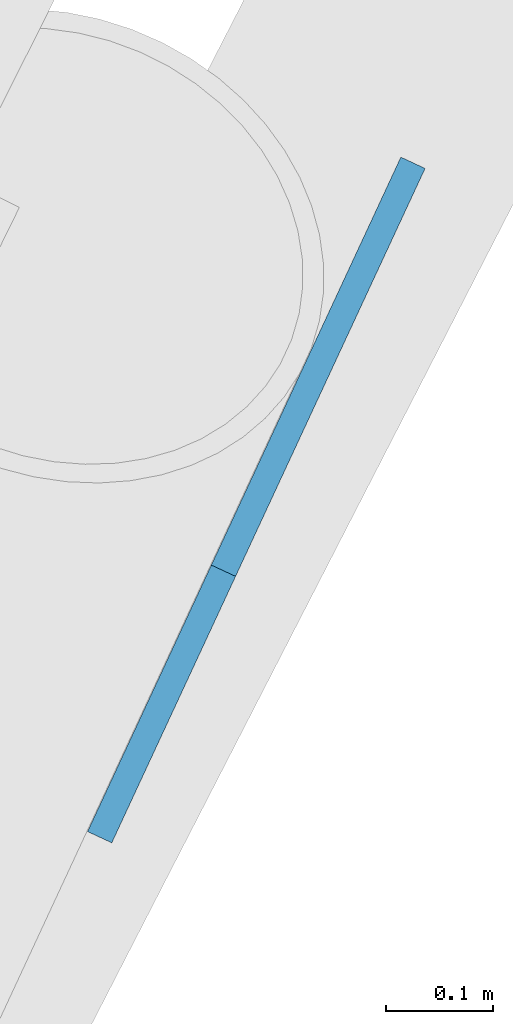
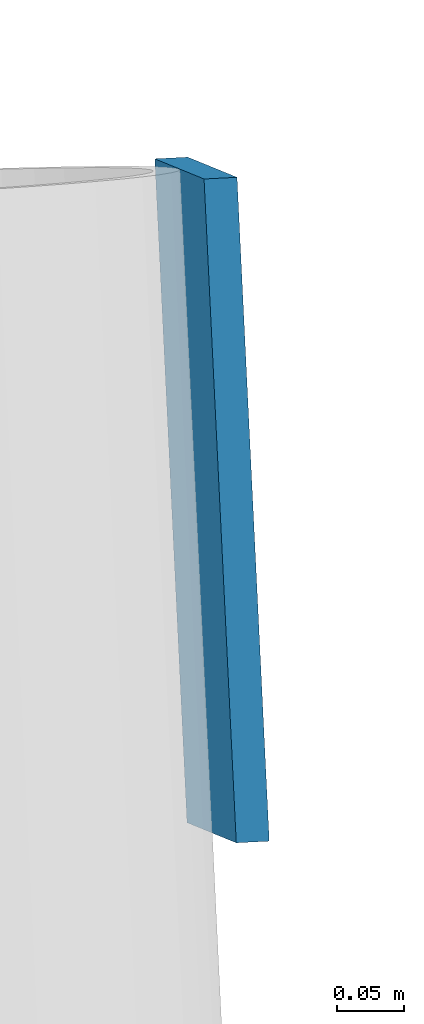
# One storey, part 11 of 21: 1 discrete accessory.
"""IFC4 building model written with IfcOpenShell, lengths in metres."""

import ifcopenshell
import ifcopenshell.guid

model = None  # the IFC model being written
_history = None  # IfcOwnerHistory: only IFC2X3 demands one
_inside = {}  # id of a spatial element -> (the spatial element, [elements in it])
_under = {}  # id of a project, library or spatial element -> (it, [spatial elements below it])
_declared = {}  # id of a project -> (the project, [libraries it declares])
_typed = {}  # id of a type object -> (the type object, [elements of that type])
_made_of = {}  # id of a material, layer set ... -> (it, [elements and type objects made of it])


def new_model(schema):
    """Start an empty IFC model of exactly this schema.

    Asked for "IFC4X3", IfcOpenShell would pick the latest addendum, in which some entities
    have other attributes; the version numbers below select the first issue.
    IFC2X3 requires an IfcOwnerHistory on every rooted entity: one is made here for all.
    """
    global model, _history
    if schema == "IFC4X3":
        model = ifcopenshell.file(schema_version=(4, 3, 0, 0))
    else:
        model = ifcopenshell.file(schema=schema)
    _inside.clear()
    _under.clear()
    _declared.clear()
    _typed.clear()
    _made_of.clear()
    _history = None
    if model.schema == "IFC2X3":
        org = make("IfcOrganization", Name="unknown")
        user = make(
            "IfcPersonAndOrganization",
            ThePerson=make("IfcPerson", FamilyName="unknown"),
            TheOrganization=org,
        )
        app = make(
            "IfcApplication",
            ApplicationDeveloper=org,
            Version="unknown",
            ApplicationFullName="unknown",
            ApplicationIdentifier="unknown",
        )
        _history = make(
            "IfcOwnerHistory",
            OwningUser=user,
            OwningApplication=app,
            ChangeAction="ADDED",
            CreationDate=0,
        )
    return model


def make(cls, **values):
    """One entity of the class cls with the attributes given. An attribute that is None is left unset."""
    return model.create_entity(
        cls, **{name: value for name, value in values.items() if value is not None}
    )


def rooted(cls, **values):
    """An entity with a GlobalId (a new one), such as an element, a storey or a relation."""
    return make(cls, GlobalId=ifcopenshell.guid.new(), OwnerHistory=_history, **values)


def si_unit(unit_type, name, prefix=None):
    """IfcSIUnit, for example si_unit("LENGTHUNIT", "METRE", prefix="MILLI")."""
    return make("IfcSIUnit", UnitType=unit_type, Prefix=prefix, Name=name)


def assignment(units):
    """IfcUnitAssignment: the units of a project."""
    return None if units is None else make("IfcUnitAssignment", Units=units)


def point(xyz):
    """IfcCartesianPoint."""
    return None if xyz is None else make("IfcCartesianPoint", Coordinates=xyz)


def direction(xyz):
    """IfcDirection."""
    return None if xyz is None else make("IfcDirection", DirectionRatios=xyz)


def frame(location, z_axis=None, x_axis=None):
    """IfcAxis2Placement3D, a coordinate frame: its origin and axes. An axis left out is left unset."""
    return make(
        "IfcAxis2Placement3D",
        Location=point(location),
        Axis=direction(z_axis),
        RefDirection=direction(x_axis),
    )


def frame_2d(location, x_axis=None):
    """IfcAxis2Placement2D, a coordinate frame in the plane: its origin and x axis."""
    return make(
        "IfcAxis2Placement2D", Location=point(location), RefDirection=direction(x_axis)
    )


def origin():
    """The frame at (0, 0, 0) with its axes left unset."""
    return frame((0.0, 0.0, 0.0))


def origin_2d():
    """The frame at (0, 0) in the plane with its x axis left unset."""
    return frame_2d((0.0, 0.0))


def place(relative_to, where):
    """IfcLocalPlacement: puts the frame where relative to a parent placement (None: the world)."""
    return make(
        "IfcLocalPlacement", PlacementRelTo=relative_to, RelativePlacement=where
    )


def context(
    kind, dimensions, precision=None, world=None, true_north=None, identifier=None
):
    """IfcGeometricRepresentationContext, for example the 3D "Model" context."""
    return make(
        "IfcGeometricRepresentationContext",
        ContextIdentifier=identifier,
        ContextType=kind,
        CoordinateSpaceDimension=dimensions,
        Precision=precision,
        WorldCoordinateSystem=world,
        TrueNorth=true_north,
    )


def subcontext(parent, identifier, kind, view, scale=None):
    """IfcGeometricRepresentationSubContext, for example "Body" below "Model"."""
    return make(
        "IfcGeometricRepresentationSubContext",
        ContextIdentifier=identifier,
        ContextType=kind,
        ParentContext=parent,
        TargetScale=scale,
        TargetView=view,
    )


def project(units=None, contexts=None):
    """IfcProject with its units and contexts."""
    return rooted(
        "IfcProject",
        Name="project",
        RepresentationContexts=contexts,
        UnitsInContext=assignment(units),
    )


def spatial(cls, under=None, at=None, **own):
    """A site, building, storey or space (cls), placed at a placement, below another one or the project."""
    s = rooted(cls, ObjectPlacement=at, **own)
    if under is not None:
        _under.setdefault(under.id(), (under, []))[1].append(s)
    return s


def profile(cls, at=None, kind="AREA", **sizes):
    """A parametric profile (cls). Its sizes go by their IFC names, for example OverallWidth=200.0."""
    return make(cls, ProfileType=kind, Position=at, **sizes)


def rectangle(**sizes):
    """IfcRectangleProfileDef."""
    return profile("IfcRectangleProfileDef", **sizes)


def extrude(swept, where, along, depth):
    """IfcExtrudedAreaSolid: the profile swept, set in the frame where, extruded along a direction by depth."""
    return make(
        "IfcExtrudedAreaSolid",
        SweptArea=swept,
        Position=where,
        ExtrudedDirection=direction(along),
        Depth=depth,
    )


def shape(context_of_items, identifier, shape_type, items):
    """IfcShapeRepresentation: the items that make up one representation, for example the "Body"."""
    return make(
        "IfcShapeRepresentation",
        ContextOfItems=context_of_items,
        RepresentationIdentifier=identifier,
        RepresentationType=shape_type,
        Items=items,
    )


def material(Name=None, Category=None):
    """IfcMaterial."""
    return make("IfcMaterial", Name=Name, Category=Category)


def material_profile(
    of_material, cross_section, Name=None, Category=None, Priority=None
):
    """IfcMaterialProfile: a cross section and its material."""
    return make(
        "IfcMaterialProfile",
        Name=Name,
        Material=of_material,
        Profile=cross_section,
        Priority=Priority,
        Category=Category,
    )


def profile_set(profiles, Name=None, composite=None):
    """IfcMaterialProfileSet."""
    return make(
        "IfcMaterialProfileSet",
        Name=Name,
        MaterialProfiles=profiles,
        CompositeProfile=composite,
    )


def made_of(thing, what):
    """Note that an element or type object is made of a material, layer set ...; save() writes the relation."""
    if what is not None:
        _made_of.setdefault(what.id(), (what, []))[1].append(thing)
    return thing


def type_object(cls, material=None, **own):
    """A type object (cls), such as IfcWallType, which elements share."""
    return made_of(rooted(cls, **own), material)


def element(
    cls,
    number,
    at=None,
    inside=None,
    cuts=None,
    type_object=None,
    material=None,
    context=None,
    identifier="Body",
    shape_type=None,
    held_by="IfcProductDefinitionShape",
    body=None,
    shapes=None,
    **own,
):
    """One element of the class cls, such as IfcWall. Its Tag is "e" and its number.

    at: its placement. inside: the storey or other place that contains it. cuts: it is an
    opening in that element (IfcRelVoidsElement). A single representation is given by context,
    identifier, shape_type and body (its items); several are given by shapes. held_by: the class
    of the entity that holds the representations. save() writes the other relations.
    """
    e = rooted(cls, Tag="e%d" % number, ObjectPlacement=at, **own)
    if body is not None:
        shapes = [shape(context, identifier, shape_type, body)]
    if shapes is not None:
        e.Representation = make(held_by, Representations=shapes)
    if inside is not None:
        _inside.setdefault(inside.id(), (inside, []))[1].append(e)
    if cuts is not None:
        rooted(
            "IfcRelVoidsElement", RelatingBuildingElement=cuts, RelatedOpeningElement=e
        )
    if type_object is not None:
        _typed.setdefault(type_object.id(), (type_object, []))[1].append(e)
    return made_of(e, material)


def aggregate(whole, parts):
    """IfcRelAggregates: a whole, such as a stair, and the parts it consists of."""
    return rooted("IfcRelAggregates", RelatingObject=whole, RelatedObjects=parts)


def save(model, path):
    """Write the relations noted so far, then the file.

    IfcRelAggregates (storeys below a building ...), IfcRelContainedInSpatialStructure (elements
    in a storey), IfcRelDefinesByType, IfcRelAssociatesMaterial and IfcRelDeclares: one each for
    every whole, place, type object, material and project.
    """
    for whole, parts in _under.values():
        aggregate(whole, parts)
    for where, things in _inside.values():
        rooted(
            "IfcRelContainedInSpatialStructure",
            RelatedElements=things,
            RelatingStructure=where,
        )
    for kind, things in _typed.values():
        rooted("IfcRelDefinesByType", RelatedObjects=things, RelatingType=kind)
    for what, things in _made_of.values():
        rooted("IfcRelAssociatesMaterial", RelatedObjects=things, RelatingMaterial=what)
    for by, libraries in _declared.values():
        rooted("IfcRelDeclares", RelatingContext=by, RelatedDefinitions=libraries)
    model.write(path)


model = new_model("IFC4")

# Units and contexts
model_context = context("Model", 3, precision=1e-05, world=origin(), true_north=direction((0.0, 1.0)))
body_context = subcontext(model_context, "Body", "Model", "MODEL_VIEW")
ifc_project = project(units=[si_unit("LENGTHUNIT", "METRE"), si_unit("AREAUNIT", "SQUARE_METRE"), si_unit("VOLUMEUNIT", "CUBIC_METRE"), si_unit("PLANEANGLEUNIT", "RADIAN"), si_unit("MASSUNIT", "GRAM", prefix="KILO")], contexts=[model_context])

# Site, building, storey
site_placement = place(None, origin())
site = spatial("IfcSite", under=ifc_project, at=site_placement, CompositionType="ELEMENT")
building_placement = place(site_placement, origin())
building = spatial("IfcBuilding", under=site, at=building_placement, Name="Tarsis Ring Headquarters", CompositionType="ELEMENT")
storey_placement = place(building_placement, frame((0.0, 0.0, 347.0)))
storey = spatial("IfcBuildingStorey", under=building, at=storey_placement, Name="L82", CompositionType="ELEMENT", Elevation=347.0)

# Discrete accessory
ifc_material = material(Name="Structural steel S355", Category="steel")
ifc_material_profile = material_profile(ifc_material, rectangle(XDim=0.02490234375, YDim=0.5, at=origin_2d()), Name="PL 25x500")
ifc_profile_set = profile_set([ifc_material_profile], Name="Structural steel S355")
discrete_accessory_type = type_object("IfcDiscreteAccessoryType", Name="Gusset plate Exo brace 25", PredefinedType="BRACKET", material=ifc_profile_set)
discrete_accessory_placement = place(storey_placement, frame((-22.867919921875, 17.48779296875, 7.800048828125), z_axis=(-0.230414892339, -0.495977819103, -0.837206653309), x_axis=(0.906911531662, -0.42132110526, 0.0)))
element("IfcDiscreteAccessory", 1, at=discrete_accessory_placement, inside=storey, type_object=discrete_accessory_type, Name="Gusset plate GP5", PredefinedType="BRACKET", context=body_context, shape_type="SweptSolid", body=[
    extrude(rectangle(XDim=0.02490234375, YDim=0.5, at=origin_2d()), origin(), (0.0, 0.0, 1.0), 0.5),
])

save(model, "model.ifc")
